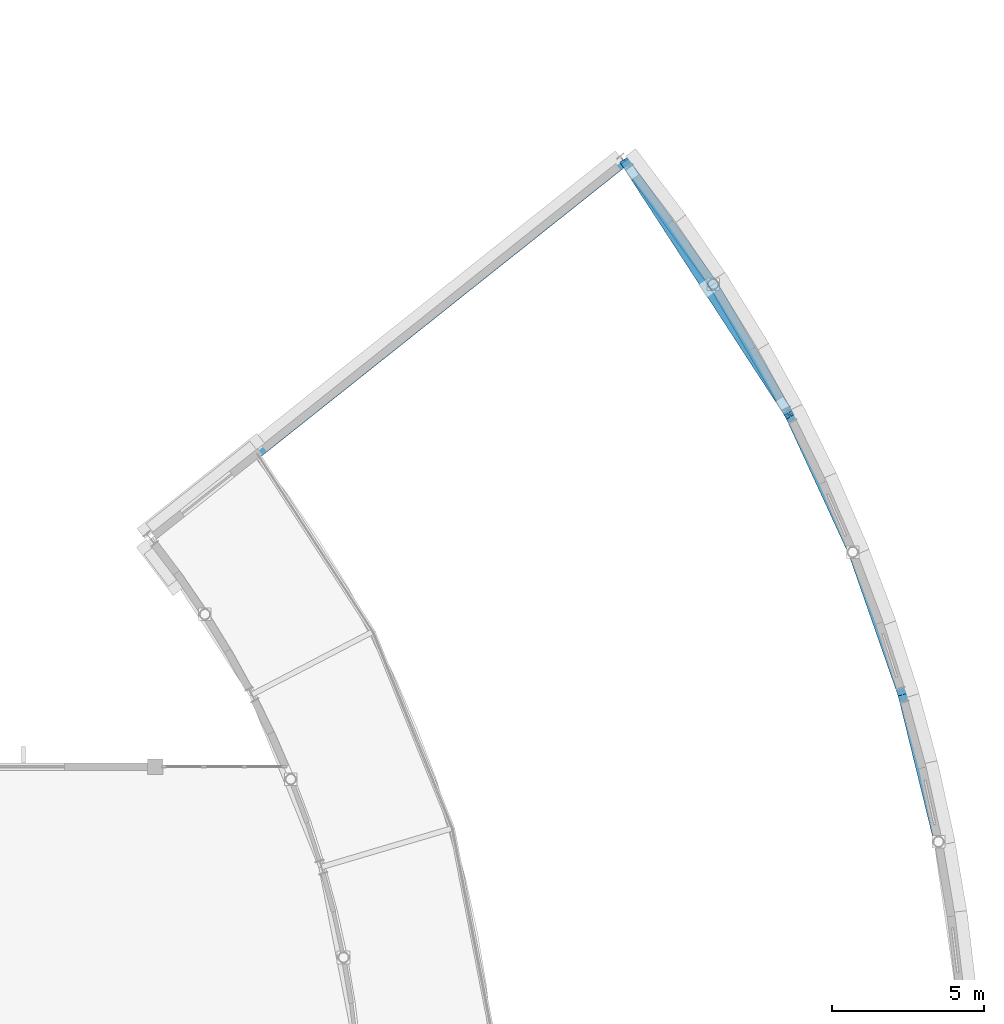
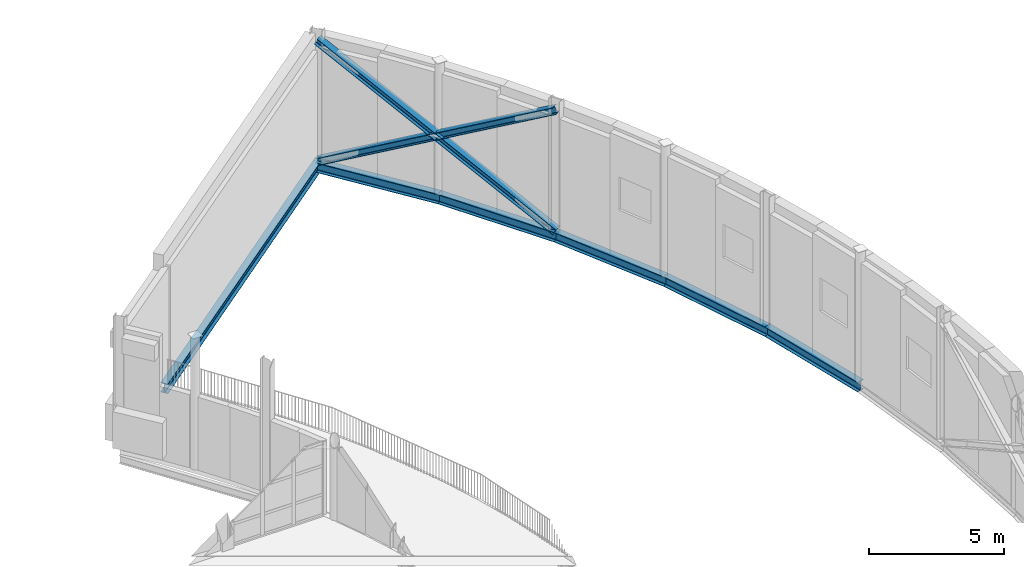
# One storey, part 48 of 104: 6 beams, 3 members.
"""IFC4 building model written with IfcOpenShell, lengths in metres."""

from ifc_helpers import new_model, si_unit, direction, frame, origin, origin_2d, place, context, subcontext, project, spatial, i_section, extrude, material, material_profile, profile_set, type_object, element, save


model = new_model("IFC4")

# Units and contexts
model_context = context("Model", 3, precision=1e-05, world=origin(), true_north=direction((0.0, 1.0)))
body_context = subcontext(model_context, "Body", "Model", "MODEL_VIEW")
ifc_project = project(units=[si_unit("LENGTHUNIT", "METRE"), si_unit("AREAUNIT", "SQUARE_METRE"), si_unit("VOLUMEUNIT", "CUBIC_METRE"), si_unit("PLANEANGLEUNIT", "RADIAN"), si_unit("MASSUNIT", "GRAM", prefix="KILO")], contexts=[model_context])

# Site, building, storey
site_placement = place(None, origin())
site = spatial("IfcSite", under=ifc_project, at=site_placement, CompositionType="ELEMENT")
building_placement = place(site_placement, origin())
building = spatial("IfcBuilding", under=site, at=building_placement, Name="Vanh Quang Courtyard School", CompositionType="ELEMENT")
storey_placement = place(building_placement, frame((0.0, 0.0, 4.199951171875)))
storey = spatial("IfcBuildingStorey", under=building, at=storey_placement, Name="L01", CompositionType="ELEMENT", Elevation=4.199951171875)

# Beams
ifc_material = material(Name="Structural steel EN 10025-2 S355J2", Category="steel")
ifc_material_profile_1 = material_profile(ifc_material, i_section(OverallWidth=0.300048828125, OverallDepth=0.43994140625, WebThickness=0.011474609375, FlangeThickness=0.02099609375, FilletRadius=0.027099609375, at=origin_2d()), Name="HEA 450")
ifc_profile_set_1 = profile_set([ifc_material_profile_1], Name="Structural steel EN 10025-2 S355J2")
beam_type = type_object("IfcBeamType", Name="BM-STL-HEA450", PredefinedType="BEAM", material=ifc_profile_set_1)
beam_1_placement = place(storey_placement, frame((140.565185546875, 78.7216796875, -0.219970703125), z_axis=(0.782600705373, 0.622524004316, 0.0), x_axis=(-0.622524004316, 0.782600705373, 0.0)))
element("IfcBeam", 1, at=beam_1_placement, inside=storey, type_object=beam_type, Name="Beam SB-07 (L01)", PredefinedType="BEAM", context=body_context, shape_type="SweptSolid", body=[
    extrude(i_section(OverallWidth=0.300048828125, OverallDepth=0.43994140625, WebThickness=0.011474609375, FlangeThickness=0.02099609375, FilletRadius=0.027099609375, at=origin_2d()), origin(), (0.0, 0.0, 1.0), 15.5),
])
for number, where, z_axis, x_axis, name in (
    (2, (163.044677734375, 65.922119140625, -0.219970703125), (-0.237697272168, 0.971339285113, 0.0), (-0.971339285113, -0.237697272168, 0.0), "Beam SB-07 (L01)"),
    (3, (161.858642578125, 70.768798828125, -0.219970703125), (-0.329685601796, 0.944090781635, 0.0), (-0.944090781635, -0.329685601796, 0.0), "Beam SB-07 (L01)"),
):
    element("IfcBeam", number, at=place(storey_placement, frame(where, z_axis=z_axis, x_axis=x_axis)), inside=storey, type_object=beam_type, Name=name, PredefinedType="BEAM", context=body_context, shape_type="SweptSolid", body=[
        extrude(i_section(OverallWidth=0.300048828125, OverallDepth=0.43994140625, WebThickness=0.011474609375, FlangeThickness=0.02099609375, FilletRadius=0.027099609375, at=origin_2d()), origin(), (0.0, 0.0, 1.0), 4.98974609375),
    ])
beam_2_placement = place(storey_placement, frame((160.213623046875, 75.4794921875, -0.219970703125), z_axis=(-0.418670301438, 0.908138303726, 0.0), x_axis=(-0.908138303726, -0.418670301438, 0.0)))
element("IfcBeam", 4, at=beam_2_placement, inside=storey, type_object=beam_type, Name="Beam SB-07 (L01)", PredefinedType="BEAM", context=body_context, shape_type="SweptSolid", body=[
    extrude(i_section(OverallWidth=0.300048828125, OverallDepth=0.43994140625, WebThickness=0.011474609375, FlangeThickness=0.02099609375, FilletRadius=0.027099609375, at=origin_2d()), origin(), (0.0, 0.0, 1.0), 4.989990234375),
])
for number, where, z_axis, x_axis, name in (
    (5, (158.12451171875, 80.010986328125, -0.219970703125), (-0.503770629409, 0.86383745748, 0.0), (-0.86383745748, -0.503770629409, 0.0), "Beam SB-07 (L01)"),
    (6, (155.61083984375, 84.3212890625, -0.219970703125), (-0.584251878004, 0.811572389285, 0.0), (-0.811572389285, -0.584251878004, 0.0), "Beam SB-07 (L01)"),
):
    element("IfcBeam", number, at=place(storey_placement, frame(where, z_axis=z_axis, x_axis=x_axis)), inside=storey, type_object=beam_type, Name=name, PredefinedType="BEAM", context=body_context, shape_type="SweptSolid", body=[
        extrude(i_section(OverallWidth=0.300048828125, OverallDepth=0.43994140625, WebThickness=0.011474609375, FlangeThickness=0.02099609375, FilletRadius=0.027099609375, at=origin_2d()), origin(), (0.0, 0.0, 1.0), 4.98974609375),
    ])

# Members
ifc_material_profile_2 = material_profile(ifc_material, i_section(OverallWidth=0.300048828125, OverallDepth=0.300048828125, WebThickness=0.010986328125, FlangeThickness=0.01904296875, FilletRadius=0.027099609375, at=origin_2d()), Name="HEB 300")
ifc_profile_set_2 = profile_set([ifc_material_profile_2], Name="Structural steel EN 10025-2 S355J2")
member_type = type_object("IfcMemberType", Name="MEM-BRC-HEB300", PredefinedType="BRACE", material=ifc_profile_set_2)
member_placement = place(storey_placement, frame((158.12451171875, 80.010986328125, 0.0), z_axis=(-0.476865100563, 0.734308349754, 0.48310549919), x_axis=(-0.83867073359, -0.544638779944, 0.0)))
element("IfcMember", 7, at=member_placement, inside=storey, type_object=member_type, Name="Structural Member MB-09 (L01)", PredefinedType="BRACE", context=body_context, shape_type="SweptSolid", body=[
    extrude(i_section(OverallWidth=0.300048828125, OverallDepth=0.300048828125, WebThickness=0.010986328125, FlangeThickness=0.01904296875, FilletRadius=0.027099609375, at=origin_2d()), origin(), (0.0, 0.0, 1.0), 11.384765625),
])
for number, where, z_axis, x_axis, name in (
    (8, (152.695556640625, 88.370849609375, 0.0), (0.476881668453, -0.734300840506, 0.483100558814), (0.838659546079, 0.544656006825, 0.0), "Structural Member MB-09 (L01)"),
    (9, (155.41015625, 84.19091796875, 2.75), (0.476848532165, -0.734315858894, 0.483110439495), (0.838681921046, 0.544621552374, 0.0), "Structural Member MB-09 (L01)"),
):
    element("IfcMember", number, at=place(storey_placement, frame(where, z_axis=z_axis, x_axis=x_axis)), inside=storey, type_object=member_type, Name=name, PredefinedType="BRACE", context=body_context, shape_type="SweptSolid", body=[
        extrude(i_section(OverallWidth=0.300048828125, OverallDepth=0.300048828125, WebThickness=0.010986328125, FlangeThickness=0.01904296875, FilletRadius=0.027099609375, at=origin_2d()), origin(), (0.0, 0.0, 1.0), 5.6923828125),
    ])

save(model, "model.ifc")
